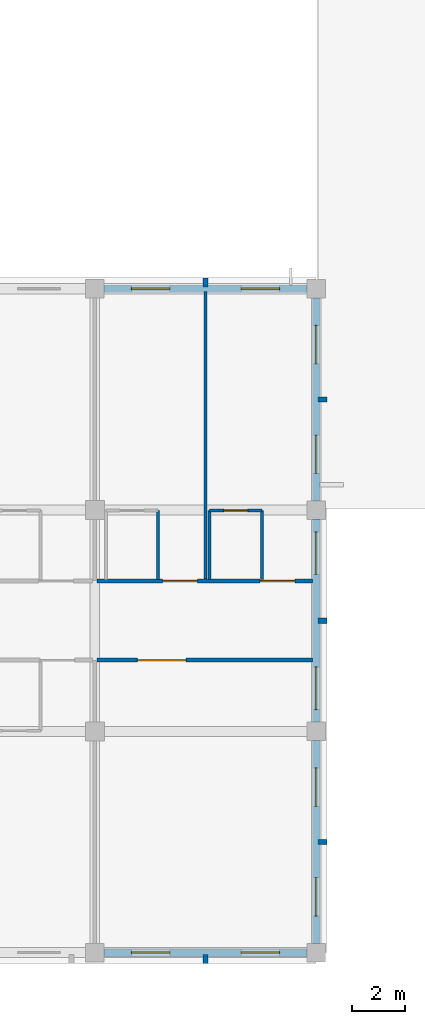
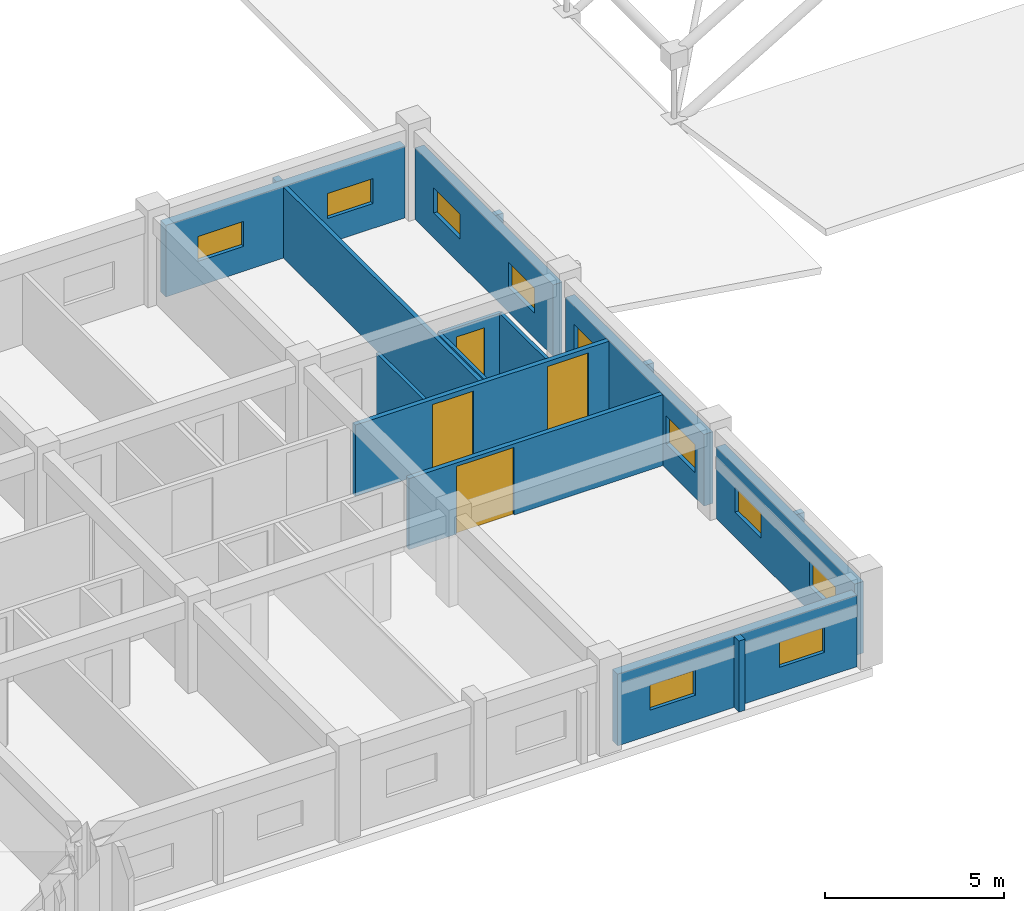
# One storey, part 131 of 148: 17 walls, 10 windows, 4 doors, 14 openings.
"""IFC4 building model written with IfcOpenShell, lengths in metres."""

from ifc_helpers import new_model, si_unit, direction, frame, frame_2d, origin, place, context, subcontext, project, spatial, rectangle, extrude, material, layer, layer_set, type_object, element, fill, save


model = new_model("IFC4")

# Units and contexts
model_context = context("Model", 3, precision=1e-05, world=origin(), true_north=direction((0.0, 1.0)))
body_context = subcontext(model_context, "Body", "Model", "MODEL_VIEW")
ifc_project = project(units=[si_unit("LENGTHUNIT", "METRE"), si_unit("AREAUNIT", "SQUARE_METRE"), si_unit("VOLUMEUNIT", "CUBIC_METRE"), si_unit("PLANEANGLEUNIT", "RADIAN"), si_unit("MASSUNIT", "GRAM", prefix="KILO")], contexts=[model_context])

# Site, building, storey
site_placement = place(None, origin())
site = spatial("IfcSite", under=ifc_project, at=site_placement, CompositionType="ELEMENT")
building_placement = place(site_placement, origin())
building = spatial("IfcBuilding", under=site, at=building_placement, Name="Trelvath General Hospital", CompositionType="ELEMENT")
storey_placement = place(building_placement, frame((0.0, 0.0, 12.89990234375)))
storey = spatial("IfcBuildingStorey", under=building, at=storey_placement, Name="L03", CompositionType="ELEMENT", Elevation=12.89990234375)

# Walls
ifc_material_1 = material(Name="Precast concrete C40/50", Category="concrete")
ifc_layer_1 = layer(ifc_material_1, 0.199951171875)
ifc_layer_set_1 = layer_set([ifc_layer_1], Name="Precast concrete C40/50")
wall_type_1 = type_object("IfcWallType", Name="BriseSoleilRib 200", PredefinedType="ELEMENTEDWALL", material=ifc_layer_set_1)
wall_1_placement = place(storey_placement, frame((130.199951171875, -0.074951171875, 0.0), z_axis=(0.0, 0.0, 1.0), x_axis=(0.0, -1.0, 0.0)))
element("IfcWall", 1, at=wall_1_placement, inside=storey, type_object=wall_type_1, Name="Precast Concrete Brise-Soleil Rib Fin L03-292", PredefinedType="ELEMENTEDWALL", context=body_context, shape_type="SweptSolid", body=[
    extrude(rectangle(XDim=0.340087890625, YDim=0.199951171875, at=frame_2d((0.169921875, 0.0))), origin(), (0.0, 0.0, 1.0), 2.420166015625),
])
for number, where, z_axis, x_axis, name in (
    (2, (134.47509765625, 4.199951171875, 0.0), (0.0, 0.0, 1.0), (1.0, 0.0, 0.0), "Precast Concrete Brise-Soleil Rib Fin L03-293"),
    (3, (134.47509765625, 12.60009765625, 0.0), (0.0, 0.0, 1.0), (1.0, 0.0, 0.0), "Precast Concrete Brise-Soleil Rib Fin L03-294"),
):
    element("IfcWall", number, at=place(storey_placement, frame(where, z_axis=z_axis, x_axis=x_axis)), inside=storey, type_object=wall_type_1, Name=name, PredefinedType="ELEMENTEDWALL", context=body_context, shape_type="SweptSolid", body=[
        extrude(rectangle(XDim=0.33984375, YDim=0.199951171875, at=frame_2d((0.169921875, 0.0))), origin(), (0.0, 0.0, 1.0), 2.420166015625),
    ])
wall_2_placement = place(storey_placement, frame((130.199951171875, 25.27490234375, 0.0), z_axis=(0.0, 0.0, 1.0), x_axis=(0.0, 1.0, 0.0)))
element("IfcWall", 4, at=wall_2_placement, inside=storey, type_object=wall_type_1, Name="Precast Concrete Brise-Soleil Rib Fin L03-295", PredefinedType="ELEMENTEDWALL", context=body_context, shape_type="SweptSolid", body=[
    extrude(rectangle(XDim=0.340087890625, YDim=0.199951171875, at=frame_2d((0.169921875, 0.0))), origin(), (0.0, 0.0, 1.0), 2.420166015625),
])
wall_3_placement = place(storey_placement, frame((134.47509765625, 21.0, 0.0), z_axis=(0.0, 0.0, 1.0), x_axis=(1.0, 0.0, 0.0)))
element("IfcWall", 5, at=wall_3_placement, inside=storey, type_object=wall_type_1, Name="Precast Concrete Brise-Soleil Rib Fin L03-296", PredefinedType="ELEMENTEDWALL", context=body_context, shape_type="SweptSolid", body=[
    extrude(rectangle(XDim=0.33984375, YDim=0.199951171875, at=frame_2d((0.169921875, 0.0))), origin(), (0.0, 0.0, 1.0), 2.420166015625),
])

# Wall, opening, door
ifc_material_2 = material(Name="Gypsum acoustic steel-stud partition", Category="steel")
ifc_layer_2 = layer(ifc_material_2, 0.14990234375)
ifc_layer_set_2 = layer_set([ifc_layer_2], Name="Gypsum acoustic steel-stud partition")
wall_type_2 = type_object("IfcWallType", Name="ClinicalPartition 150", PredefinedType="PARTITIONING", material=ifc_layer_set_2)
wall_4_placement = place(storey_placement, frame((126.080078125, 11.10009765625, 0.0), z_axis=(0.0, 0.0, 1.0), x_axis=(1.0, 0.0, 0.0)))
wall_4 = element("IfcWall", 6, at=wall_4_placement, inside=storey, type_object=wall_type_2, Name="Corridor Partition L03-1220", PredefinedType="PARTITIONING", context=body_context, shape_type="SweptSolid", body=[
    extrude(rectangle(XDim=8.179931640625, YDim=0.14990234375, at=frame_2d((4.08984375, 0.0))), origin(), (0.0, 0.0, 1.0), 2.420166015625),
])
opening_1_placement = place(wall_4_placement, frame((1.530029296875, 0.0, 0.0)))
opening_1 = element("IfcOpeningElement", 7, at=opening_1_placement, cuts=wall_4, Name="Opening D-3-0895", PredefinedType="OPENING", context=body_context, shape_type="SweptSolid", body=[
    extrude(rectangle(XDim=1.85009765625, YDim=2.300048828125, at=frame_2d((0.925048828125, 1.14990234375))), frame((0.0, 0.0849609375, 0.0), z_axis=(0.0, -1.0, 0.0), x_axis=(1.0, 0.0, 0.0)), (0.0, 0.0, 1.0), 0.169921875),
])
ifc_material_3 = material(Name="Fire-rated steel cross-corridor pair", Category="steel")
door_type_1 = type_object("IfcDoorType", Name="Door SmokeCross 1850x2300", OperationType="DOUBLE_SWING_LEFT", PredefinedType="DOOR", material=ifc_material_3)
door_1_placement = place(opening_1_placement, origin())
door_1 = element("IfcDoor", 8, at=door_1_placement, inside=storey, type_object=door_type_1, Name="Waiting Lounge Door L03-895", OperationType="DOUBLE_SWING_LEFT", OverallHeight=2.300048828125, OverallWidth=1.85009765625, PredefinedType="DOOR", context=body_context, shape_type="SweptSolid", body=[
    extrude(rectangle(XDim=1.85009765625, YDim=2.300048828125, at=frame_2d((0.925048828125, 1.14990234375))), frame((0.0, 0.02490234375, 0.0), z_axis=(0.0, -1.0, 0.0), x_axis=(1.0, 0.0, 0.0)), (0.0, 0.0, 1.0), 0.050048828125),
])
fill(opening_1, door_1)

# Wall, openings, doors
wall_5_placement = place(storey_placement, frame((134.260009765625, 14.10009765625, 0.0), z_axis=(0.0, 0.0, 1.0), x_axis=(-1.0, 0.0, 0.0)))
wall_5 = element("IfcWall", 9, at=wall_5_placement, inside=storey, type_object=wall_type_2, Name="Corridor Partition N L03-1221", PredefinedType="PARTITIONING", context=body_context, shape_type="SweptSolid", body=[
    extrude(rectangle(XDim=8.179931640625, YDim=0.14990234375, at=frame_2d((4.08984375, 0.0))), origin(), (0.0, 0.0, 1.0), 2.420166015625),
])
opening_2_placement = place(wall_5_placement, frame((0.669921875, 0.0, 0.0)))
opening_2 = element("IfcOpeningElement", 10, at=opening_2_placement, cuts=wall_5, Name="Opening D-3-0896", PredefinedType="OPENING", context=body_context, shape_type="SweptSolid", body=[
    extrude(rectangle(XDim=1.320068359375, YDim=2.25, at=frame_2d((0.66015625, 1.125))), frame((0.0, 0.0849609375, 0.0), z_axis=(0.0, -1.0, 0.0), x_axis=(1.0, 0.0, 0.0)), (0.0, 0.0, 1.0), 0.169921875),
])
opening_3_placement = place(wall_5_placement, frame((4.3701171875, 0.0, 0.0)))
opening_3 = element("IfcOpeningElement", 11, at=opening_3_placement, cuts=wall_5, Name="Opening D-3-0897", PredefinedType="OPENING", context=body_context, shape_type="SweptSolid", body=[
    extrude(rectangle(XDim=1.320068359375, YDim=2.25, at=frame_2d((0.66015625, 1.125))), frame((0.0, 0.0849609375, 0.0), z_axis=(0.0, -1.0, 0.0), x_axis=(1.0, 0.0, 0.0)), (0.0, 0.0, 1.0), 0.169921875),
])
ifc_material_4 = material(Name="Maternity bed-leaf timber door", Category="wood")
door_type_2 = type_object("IfcDoorType", Name="Door PatientMaternity 1320x2250", OperationType="NOTDEFINED", PredefinedType="DOOR", material=ifc_material_4)
door_2_placement = place(opening_2_placement, origin())
door_2 = element("IfcDoor", 12, at=door_2_placement, inside=storey, type_object=door_type_2, Name="Patient Room Door N L03-896", OperationType="SINGLE_SWING_LEFT", OverallHeight=2.25, OverallWidth=1.320068359375, PredefinedType="DOOR", context=body_context, shape_type="SweptSolid", body=[
    extrude(rectangle(XDim=1.320068359375, YDim=2.25, at=frame_2d((0.66015625, 1.125))), frame((0.0, 0.02490234375, 0.0), z_axis=(0.0, -1.0, 0.0), x_axis=(1.0, 0.0, 0.0)), (0.0, 0.0, 1.0), 0.050048828125),
])
fill(opening_2, door_2)
door_3_placement = place(opening_3_placement, origin())
door_3 = element("IfcDoor", 13, at=door_3_placement, inside=storey, type_object=door_type_2, Name="Patient Room Door N L03-897", OperationType="SINGLE_SWING_LEFT", OverallHeight=2.25, OverallWidth=1.320068359375, PredefinedType="DOOR", context=body_context, shape_type="SweptSolid", body=[
    extrude(rectangle(XDim=1.320068359375, YDim=2.25, at=frame_2d((0.66015625, 1.125))), frame((0.0, 0.02490234375, 0.0), z_axis=(0.0, -1.0, 0.0), x_axis=(1.0, 0.0, 0.0)), (0.0, 0.0, 1.0), 0.050048828125),
])
fill(opening_3, door_3)

# Walls
ifc_material_5 = material(Name="Moisture-resistant tile partition")
ifc_layer_3 = layer(ifc_material_5, 0.110107421875)
ifc_layer_set_3 = layer_set([ifc_layer_3], Name="Moisture-resistant tile partition")
wall_type_3 = type_object("IfcWallType", Name="EnSuiteWetWall 110", PredefinedType="PARTITIONING", material=ifc_layer_set_3)
for number, where, z_axis, x_axis, name in (
    (14, (128.39990234375, 14.169921875, 0.0), (0.0, 0.0, 1.0), (0.0, 1.0, 0.0), "En-Suite E Wall N L03-1224"),
    (15, (130.360107421875, 14.169921875, 0.0), (0.0, 0.0, 1.0), (0.0, 1.0, 0.0), "En-Suite W Wall N L03-1226"),
    (16, (132.340087890625, 14.169921875, 0.0), (0.0, 0.0, 1.0), (0.0, 1.0, 0.0), "En-Suite E Wall N L03-1227"),
):
    element("IfcWall", number, at=place(storey_placement, frame(where, z_axis=z_axis, x_axis=x_axis)), inside=storey, type_object=wall_type_3, Name=name, PredefinedType="PARTITIONING", context=body_context, shape_type="SweptSolid", body=[
        extrude(rectangle(XDim=2.610107421875, YDim=0.110107421875, at=frame_2d((1.30517578125, 0.0))), origin(), (0.0, 0.0, 1.0), 2.420166015625),
    ])

# Wall, opening, door
wall_6_placement = place(storey_placement, frame((130.360107421875, 16.780029296875, 0.0), z_axis=(0.0, 0.0, 1.0), x_axis=(1.0, 0.0, 0.0)))
wall_6 = element("IfcWall", 17, at=wall_6_placement, inside=storey, type_object=wall_type_3, Name="En-Suite Bathroom N Partition L03-1228", PredefinedType="PARTITIONING", context=body_context, shape_type="SweptSolid", body=[
    extrude(rectangle(XDim=1.97998046875, YDim=0.110107421875, at=frame_2d((0.989990234375, 0.0))), origin(), (0.0, 0.0, 1.0), 2.420166015625),
])
opening_4_placement = place(wall_6_placement, frame((0.5400390625, 0.0, 0.0)))
opening_4 = element("IfcOpeningElement", 18, at=opening_4_placement, cuts=wall_6, Name="Opening D-3-0899", PredefinedType="OPENING", context=body_context, shape_type="SweptSolid", body=[
    extrude(rectangle(XDim=0.89990234375, YDim=2.10009765625, at=frame_2d((0.449951171875, 1.050048828125))), frame((0.0, 0.06494140625, 0.0), z_axis=(0.0, -1.0, 0.0), x_axis=(1.0, 0.0, 0.0)), (0.0, 0.0, 1.0), 0.130126953125),
])
ifc_material_6 = material(Name="Moisture-sealed timber leaf", Category="wood")
door_type_3 = type_object("IfcDoorType", Name="Door EnSuite 900x2100", OperationType="NOTDEFINED", PredefinedType="DOOR", material=ifc_material_6)
door_4_placement = place(opening_4_placement, origin())
door_4 = element("IfcDoor", 19, at=door_4_placement, inside=storey, type_object=door_type_3, Name="En-Suite Bathroom N Door L03-899", OperationType="SINGLE_SWING_LEFT", OverallHeight=2.10009765625, OverallWidth=0.89990234375, PredefinedType="DOOR", context=body_context, shape_type="SweptSolid", body=[
    extrude(rectangle(XDim=0.89990234375, YDim=2.10009765625, at=frame_2d((0.449951171875, 1.050048828125))), frame((0.0, 0.02490234375, 0.0), z_axis=(0.0, -1.0, 0.0), x_axis=(1.0, 0.0, 0.0)), (0.0, 0.0, 1.0), 0.050048828125),
])
fill(opening_4, door_4)

# Wall, openings, windows
ifc_material_7 = material(Name="Concrete C35/45", Category="concrete")
ifc_layer_4 = layer(ifc_material_7, 0.2900390625)
ifc_layer_set_4 = layer_set([ifc_layer_4], Name="Concrete C35/45")
wall_type_4 = type_object("IfcWallType", Name="ExtBushHammeredWall 290", PredefinedType="SOLIDWALL", material=ifc_layer_set_4)
wall_7_placement = place(storey_placement, frame((134.054931640625, 0.0, 0.0), z_axis=(0.0, 0.0, 1.0), x_axis=(-1.0, 0.0, 0.0)))
wall_7 = element("IfcWall", 20, at=wall_7_placement, inside=storey, type_object=wall_type_4, Name="Exterior Concrete Wall L03-410", PredefinedType="SOLIDWALL", context=body_context, shape_type="SweptSolid", body=[
    extrude(rectangle(XDim=7.7099609375, YDim=0.2900390625, at=frame_2d((3.85498046875, 0.0))), origin(), (0.0, 0.0, 1.0), 2.440185546875),
])
opening_5_placement = place(wall_7_placement, frame((1.043212890625, 0.0, 0.85009765625)))
opening_5 = element("IfcOpeningElement", 21, at=opening_5_placement, cuts=wall_7, Name="Opening WN-3-669", PredefinedType="OPENING", context=body_context, shape_type="SweptSolid", body=[
    extrude(rectangle(XDim=1.4599609375, YDim=0.85009765625, at=frame_2d((0.72998046875, 0.425048828125))), frame((0.0, 0.155029296875, 0.0), z_axis=(0.0, -1.0, 0.0), x_axis=(1.0, 0.0, 0.0)), (0.0, 0.0, 1.0), 0.31005859375),
])
opening_6_placement = place(wall_7_placement, frame((5.206787109375, 0.0, 0.85009765625)))
opening_6 = element("IfcOpeningElement", 22, at=opening_6_placement, cuts=wall_7, Name="Opening WN-3-670", PredefinedType="OPENING", context=body_context, shape_type="SweptSolid", body=[
    extrude(rectangle(XDim=1.4599609375, YDim=0.85009765625, at=frame_2d((0.72998046875, 0.425048828125))), frame((0.0, 0.155029296875, 0.0), z_axis=(0.0, -1.0, 0.0), x_axis=(1.0, 0.0, 0.0)), (0.0, 0.0, 1.0), 0.31005859375),
])
ifc_material_8 = material(Name="Low-E laminated glass", Category="glass")
window_type_1 = type_object("IfcWindowType", Name="Window ImagingClere 1460x850", PartitioningType="DOUBLE_PANEL_VERTICAL", PredefinedType="WINDOW", material=ifc_material_8)
window_1_placement = place(opening_5_placement, origin())
window_1 = element("IfcWindow", 23, at=window_1_placement, inside=storey, type_object=window_type_1, Name="Solar Reveal Window L03-669", OverallHeight=0.85009765625, OverallWidth=1.4599609375, PartitioningType="SINGLE_PANEL", PredefinedType="WINDOW", context=body_context, shape_type="SweptSolid", body=[
    extrude(rectangle(XDim=1.4599609375, YDim=0.85009765625, at=frame_2d((0.72998046875, 0.425048828125))), frame((0.0, 0.030029296875, 0.0), z_axis=(0.0, -1.0, 0.0), x_axis=(1.0, 0.0, 0.0)), (0.0, 0.0, 1.0), 0.06005859375),
])
fill(opening_5, window_1)
window_2_placement = place(opening_6_placement, origin())
window_2 = element("IfcWindow", 24, at=window_2_placement, inside=storey, type_object=window_type_1, Name="Solar Reveal Window L03-670", OverallHeight=0.85009765625, OverallWidth=1.4599609375, PartitioningType="SINGLE_PANEL", PredefinedType="WINDOW", context=body_context, shape_type="SweptSolid", body=[
    extrude(rectangle(XDim=1.4599609375, YDim=0.85009765625, at=frame_2d((0.72998046875, 0.425048828125))), frame((0.0, 0.030029296875, 0.0), z_axis=(0.0, -1.0, 0.0), x_axis=(1.0, 0.0, 0.0)), (0.0, 0.0, 1.0), 0.06005859375),
])
fill(opening_6, window_2)

wall_8_placement = place(storey_placement, frame((134.39990234375, 8.054931640625, 0.0), z_axis=(0.0, 0.0, 1.0), x_axis=(0.0, -1.0, 0.0)))
wall_8 = element("IfcWall", 25, at=wall_8_placement, inside=storey, type_object=wall_type_4, Name="Exterior Concrete Wall L03-411", PredefinedType="SOLIDWALL", context=body_context, shape_type="SweptSolid", body=[
    extrude(rectangle(XDim=7.7099609375, YDim=0.2900390625, at=frame_2d((3.85498046875, 0.0))), origin(), (0.0, 0.0, 1.0), 2.440185546875),
])
opening_7_placement = place(wall_8_placement, frame((1.043212890625, 0.0, 0.85009765625)))
opening_7 = element("IfcOpeningElement", 26, at=opening_7_placement, cuts=wall_8, Name="Opening WN-3-671", PredefinedType="OPENING", context=body_context, shape_type="SweptSolid", body=[
    extrude(rectangle(XDim=1.4599609375, YDim=0.85009765625, at=frame_2d((0.72998046875, 0.425048828125))), frame((0.0, 0.155029296875, 0.0), z_axis=(0.0, -1.0, 0.0), x_axis=(1.0, 0.0, 0.0)), (0.0, 0.0, 1.0), 0.31005859375),
])
opening_8_placement = place(wall_8_placement, frame((5.206787109375, 0.0, 0.85009765625)))
opening_8 = element("IfcOpeningElement", 27, at=opening_8_placement, cuts=wall_8, Name="Opening WN-3-672", PredefinedType="OPENING", context=body_context, shape_type="SweptSolid", body=[
    extrude(rectangle(XDim=1.4599609375, YDim=0.85009765625, at=frame_2d((0.72998046875, 0.425048828125))), frame((0.0, 0.155029296875, 0.0), z_axis=(0.0, -1.0, 0.0), x_axis=(1.0, 0.0, 0.0)), (0.0, 0.0, 1.0), 0.31005859375),
])
window_3_placement = place(opening_7_placement, origin())
window_3 = element("IfcWindow", 28, at=window_3_placement, inside=storey, type_object=window_type_1, Name="Solar Reveal Window L03-671", OverallHeight=0.85009765625, OverallWidth=1.4599609375, PartitioningType="SINGLE_PANEL", PredefinedType="WINDOW", context=body_context, shape_type="SweptSolid", body=[
    extrude(rectangle(XDim=1.4599609375, YDim=0.85009765625, at=frame_2d((0.72998046875, 0.425048828125))), frame((0.0, 0.030029296875, 0.0), z_axis=(0.0, -1.0, 0.0), x_axis=(1.0, 0.0, 0.0)), (0.0, 0.0, 1.0), 0.06005859375),
])
fill(opening_7, window_3)
window_4_placement = place(opening_8_placement, origin())
window_4 = element("IfcWindow", 29, at=window_4_placement, inside=storey, type_object=window_type_1, Name="Solar Reveal Window L03-672", OverallHeight=0.85009765625, OverallWidth=1.4599609375, PartitioningType="SINGLE_PANEL", PredefinedType="WINDOW", context=body_context, shape_type="SweptSolid", body=[
    extrude(rectangle(XDim=1.4599609375, YDim=0.85009765625, at=frame_2d((0.72998046875, 0.425048828125))), frame((0.0, 0.030029296875, 0.0), z_axis=(0.0, -1.0, 0.0), x_axis=(1.0, 0.0, 0.0)), (0.0, 0.0, 1.0), 0.06005859375),
])
fill(opening_8, window_4)

wall_9_placement = place(storey_placement, frame((134.39990234375, 16.455078125, 0.0), z_axis=(0.0, 0.0, 1.0), x_axis=(0.0, -1.0, 0.0)))
wall_9 = element("IfcWall", 30, at=wall_9_placement, inside=storey, type_object=wall_type_4, Name="Exterior Concrete Wall L03-412", PredefinedType="SOLIDWALL", context=body_context, shape_type="SweptSolid", body=[
    extrude(rectangle(XDim=7.7099609375, YDim=0.2900390625, at=frame_2d((3.85498046875, 0.0))), origin(), (0.0, 0.0, 1.0), 2.440185546875),
])
opening_9_placement = place(wall_9_placement, frame((0.47998046875, 0.0, 0.85009765625)))
opening_9 = element("IfcOpeningElement", 31, at=opening_9_placement, cuts=wall_9, Name="Opening WN-3-673", PredefinedType="OPENING", context=body_context, shape_type="SweptSolid", body=[
    extrude(rectangle(XDim=1.6201171875, YDim=0.949951171875, at=frame_2d((0.81005859375, 0.47509765625))), frame((0.0, 0.155029296875, 0.0), z_axis=(0.0, -1.0, 0.0), x_axis=(1.0, 0.0, 0.0)), (0.0, 0.0, 1.0), 0.31005859375),
])
opening_10_placement = place(wall_9_placement, frame((5.610107421875, 0.0, 0.85009765625)))
opening_10 = element("IfcOpeningElement", 32, at=opening_10_placement, cuts=wall_9, Name="Opening WN-3-674", PredefinedType="OPENING", context=body_context, shape_type="SweptSolid", body=[
    extrude(rectangle(XDim=1.6201171875, YDim=0.949951171875, at=frame_2d((0.81005859375, 0.47509765625))), frame((0.0, 0.155029296875, 0.0), z_axis=(0.0, -1.0, 0.0), x_axis=(1.0, 0.0, 0.0)), (0.0, 0.0, 1.0), 0.31005859375),
])
ifc_material_9 = material(Name="Low-E laminated glass", Category="glass")
window_type_2 = type_object("IfcWindowType", Name="Window EmergencyClere 1620x950", PartitioningType="DOUBLE_PANEL_VERTICAL", PredefinedType="WINDOW", material=ifc_material_9)
window_5_placement = place(opening_9_placement, origin())
window_5 = element("IfcWindow", 33, at=window_5_placement, inside=storey, type_object=window_type_2, Name="Solar Reveal Window L03-673", OverallHeight=0.949951171875, OverallWidth=1.6201171875, PartitioningType="SINGLE_PANEL", PredefinedType="WINDOW", context=body_context, shape_type="SweptSolid", body=[
    extrude(rectangle(XDim=1.6201171875, YDim=0.949951171875, at=frame_2d((0.81005859375, 0.47509765625))), frame((0.0, 0.030029296875, 0.0), z_axis=(0.0, -1.0, 0.0), x_axis=(1.0, 0.0, 0.0)), (0.0, 0.0, 1.0), 0.06005859375),
])
fill(opening_9, window_5)
window_6_placement = place(opening_10_placement, origin())
window_6 = element("IfcWindow", 34, at=window_6_placement, inside=storey, type_object=window_type_2, Name="Solar Reveal Window L03-674", OverallHeight=0.949951171875, OverallWidth=1.6201171875, PartitioningType="SINGLE_PANEL", PredefinedType="WINDOW", context=body_context, shape_type="SweptSolid", body=[
    extrude(rectangle(XDim=1.6201171875, YDim=0.949951171875, at=frame_2d((0.81005859375, 0.47509765625))), frame((0.0, 0.030029296875, 0.0), z_axis=(0.0, -1.0, 0.0), x_axis=(1.0, 0.0, 0.0)), (0.0, 0.0, 1.0), 0.06005859375),
])
fill(opening_10, window_6)

wall_10_placement = place(storey_placement, frame((126.344970703125, 25.199951171875, 0.0), z_axis=(0.0, 0.0, 1.0), x_axis=(1.0, 0.0, 0.0)))
wall_10 = element("IfcWall", 35, at=wall_10_placement, inside=storey, type_object=wall_type_4, Name="Exterior Concrete Wall L03-413", PredefinedType="SOLIDWALL", context=body_context, shape_type="SweptSolid", body=[
    extrude(rectangle(XDim=7.7099609375, YDim=0.2900390625, at=frame_2d((3.85498046875, 0.0))), origin(), (0.0, 0.0, 1.0), 2.440185546875),
])
opening_11_placement = place(wall_10_placement, frame((1.043212890625, 0.0, 0.85009765625)))
opening_11 = element("IfcOpeningElement", 36, at=opening_11_placement, cuts=wall_10, Name="Opening WN-3-675", PredefinedType="OPENING", context=body_context, shape_type="SweptSolid", body=[
    extrude(rectangle(XDim=1.4599609375, YDim=0.85009765625, at=frame_2d((0.72998046875, 0.425048828125))), frame((0.0, 0.155029296875, 0.0), z_axis=(0.0, -1.0, 0.0), x_axis=(1.0, 0.0, 0.0)), (0.0, 0.0, 1.0), 0.31005859375),
])
opening_12_placement = place(wall_10_placement, frame((5.206787109375, 0.0, 0.85009765625)))
opening_12 = element("IfcOpeningElement", 37, at=opening_12_placement, cuts=wall_10, Name="Opening WN-3-676", PredefinedType="OPENING", context=body_context, shape_type="SweptSolid", body=[
    extrude(rectangle(XDim=1.4599609375, YDim=0.85009765625, at=frame_2d((0.72998046875, 0.425048828125))), frame((0.0, 0.155029296875, 0.0), z_axis=(0.0, -1.0, 0.0), x_axis=(1.0, 0.0, 0.0)), (0.0, 0.0, 1.0), 0.31005859375),
])
window_7_placement = place(opening_11_placement, origin())
window_7 = element("IfcWindow", 38, at=window_7_placement, inside=storey, type_object=window_type_1, Name="Solar Reveal Window L03-675", OverallHeight=0.85009765625, OverallWidth=1.4599609375, PartitioningType="SINGLE_PANEL", PredefinedType="WINDOW", context=body_context, shape_type="SweptSolid", body=[
    extrude(rectangle(XDim=1.4599609375, YDim=0.85009765625, at=frame_2d((0.72998046875, 0.425048828125))), frame((0.0, 0.030029296875, 0.0), z_axis=(0.0, -1.0, 0.0), x_axis=(1.0, 0.0, 0.0)), (0.0, 0.0, 1.0), 0.06005859375),
])
fill(opening_11, window_7)
window_8_placement = place(opening_12_placement, origin())
window_8 = element("IfcWindow", 39, at=window_8_placement, inside=storey, type_object=window_type_1, Name="Solar Reveal Window L03-676", OverallHeight=0.85009765625, OverallWidth=1.4599609375, PartitioningType="SINGLE_PANEL", PredefinedType="WINDOW", context=body_context, shape_type="SweptSolid", body=[
    extrude(rectangle(XDim=1.4599609375, YDim=0.85009765625, at=frame_2d((0.72998046875, 0.425048828125))), frame((0.0, 0.030029296875, 0.0), z_axis=(0.0, -1.0, 0.0), x_axis=(1.0, 0.0, 0.0)), (0.0, 0.0, 1.0), 0.06005859375),
])
fill(opening_12, window_8)

wall_11_placement = place(storey_placement, frame((134.39990234375, 24.85498046875, 0.0), z_axis=(0.0, 0.0, 1.0), x_axis=(0.0, -1.0, 0.0)))
wall_11 = element("IfcWall", 40, at=wall_11_placement, inside=storey, type_object=wall_type_4, Name="Exterior Concrete Wall L03-414", PredefinedType="SOLIDWALL", context=body_context, shape_type="SweptSolid", body=[
    extrude(rectangle(XDim=7.7099609375, YDim=0.2900390625, at=frame_2d((3.85498046875, 0.0))), origin(), (0.0, 0.0, 1.0), 2.440185546875),
])
opening_13_placement = place(wall_11_placement, frame((1.043212890625, 0.0, 0.85009765625)))
opening_13 = element("IfcOpeningElement", 41, at=opening_13_placement, cuts=wall_11, Name="Opening WN-3-677", PredefinedType="OPENING", context=body_context, shape_type="SweptSolid", body=[
    extrude(rectangle(XDim=1.4599609375, YDim=0.85009765625, at=frame_2d((0.72998046875, 0.425048828125))), frame((0.0, 0.155029296875, 0.0), z_axis=(0.0, -1.0, 0.0), x_axis=(1.0, 0.0, 0.0)), (0.0, 0.0, 1.0), 0.31005859375),
])
opening_14_placement = place(wall_11_placement, frame((5.206787109375, 0.0, 0.85009765625)))
opening_14 = element("IfcOpeningElement", 42, at=opening_14_placement, cuts=wall_11, Name="Opening WN-3-678", PredefinedType="OPENING", context=body_context, shape_type="SweptSolid", body=[
    extrude(rectangle(XDim=1.4599609375, YDim=0.85009765625, at=frame_2d((0.72998046875, 0.425048828125))), frame((0.0, 0.155029296875, 0.0), z_axis=(0.0, -1.0, 0.0), x_axis=(1.0, 0.0, 0.0)), (0.0, 0.0, 1.0), 0.31005859375),
])
window_9_placement = place(opening_13_placement, origin())
window_9 = element("IfcWindow", 43, at=window_9_placement, inside=storey, type_object=window_type_1, Name="Solar Reveal Window L03-677", OverallHeight=0.85009765625, OverallWidth=1.4599609375, PartitioningType="SINGLE_PANEL", PredefinedType="WINDOW", context=body_context, shape_type="SweptSolid", body=[
    extrude(rectangle(XDim=1.4599609375, YDim=0.85009765625, at=frame_2d((0.72998046875, 0.425048828125))), frame((0.0, 0.030029296875, 0.0), z_axis=(0.0, -1.0, 0.0), x_axis=(1.0, 0.0, 0.0)), (0.0, 0.0, 1.0), 0.06005859375),
])
fill(opening_13, window_9)
window_10_placement = place(opening_14_placement, origin())
window_10 = element("IfcWindow", 44, at=window_10_placement, inside=storey, type_object=window_type_1, Name="Solar Reveal Window L03-678", OverallHeight=0.85009765625, OverallWidth=1.4599609375, PartitioningType="SINGLE_PANEL", PredefinedType="WINDOW", context=body_context, shape_type="SweptSolid", body=[
    extrude(rectangle(XDim=1.4599609375, YDim=0.85009765625, at=frame_2d((0.72998046875, 0.425048828125))), frame((0.0, 0.030029296875, 0.0), z_axis=(0.0, -1.0, 0.0), x_axis=(1.0, 0.0, 0.0)), (0.0, 0.0, 1.0), 0.06005859375),
])
fill(opening_14, window_10)

# Wall
ifc_material_10 = material(Name="Gypsum acoustic steel-stud partition", Category="steel")
ifc_layer_5 = layer(ifc_material_10, 0.1298828125)
ifc_layer_set_5 = layer_set([ifc_layer_5], Name="Gypsum acoustic steel-stud partition")
wall_type_5 = type_object("IfcWallType", Name="WardPartition 130", PredefinedType="PARTITIONING", material=ifc_layer_set_5)
wall_12_placement = place(storey_placement, frame((130.199951171875, 14.169921875, 0.0), z_axis=(0.0, 0.0, 1.0), x_axis=(0.0, 1.0, 0.0)))
element("IfcWall", 45, at=wall_12_placement, inside=storey, type_object=wall_type_5, Name="Room Dividing Partition N L03-1222", PredefinedType="PARTITIONING", context=body_context, shape_type="SweptSolid", body=[
    extrude(rectangle(XDim=10.93017578125, YDim=0.1298828125, at=frame_2d((5.465087890625, 0.0))), origin(), (0.0, 0.0, 1.0), 2.420166015625),
])

save(model, "model.ifc")
